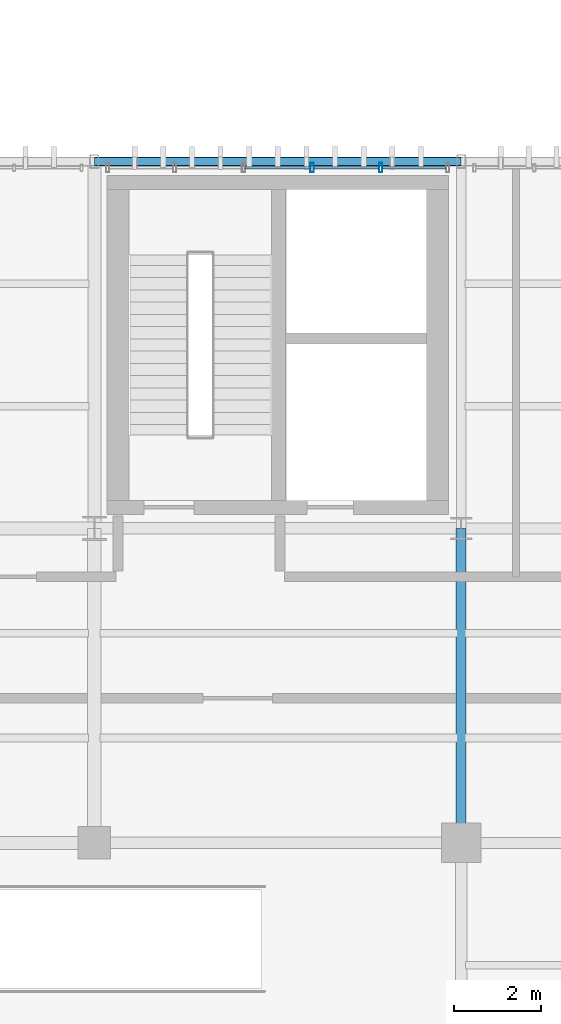
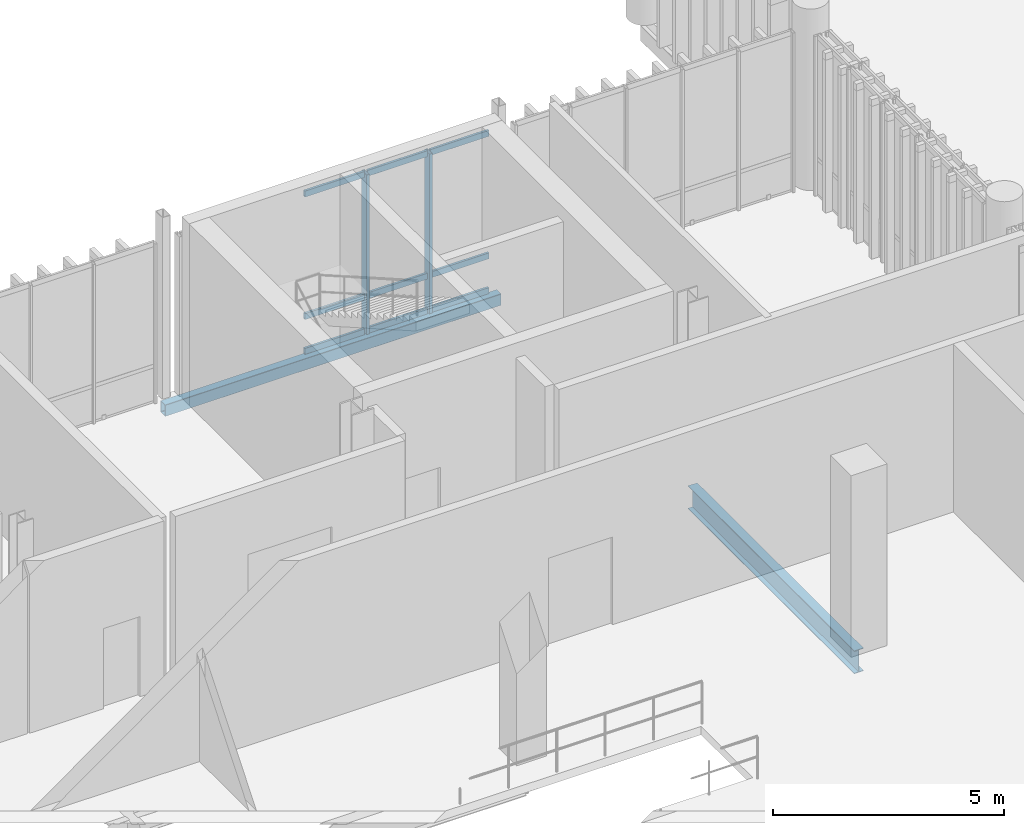
# One storey, part 33 of 109: 11 members, 2 beams, 1 element without a shape of its own.
"""IFC4 building model written with IfcOpenShell, lengths in metres."""

from ifc_helpers import new_model, si_unit, direction, frame, origin_with_axes, origin_2d_with_axis, place, context, subcontext, project, spatial, hollow_rectangle, i_section, extrude, material, material_profile, profile_set, type_object, element, aggregate, save


model = new_model("IFC4")

# Units and contexts
model_context = context("Model", 3, precision=1e-05, world=origin_with_axes(), true_north=direction((0.0, 1.0)))
body_context = subcontext(model_context, "Body", "Model", "MODEL_VIEW")
ifc_project = project(units=[si_unit("LENGTHUNIT", "METRE"), si_unit("AREAUNIT", "SQUARE_METRE"), si_unit("VOLUMEUNIT", "CUBIC_METRE"), si_unit("PLANEANGLEUNIT", "RADIAN"), si_unit("MASSUNIT", "GRAM", prefix="KILO"), si_unit("THERMODYNAMICTEMPERATUREUNIT", "KELVIN")], contexts=[model_context])

# Site, building, storey
site_placement = place(None, origin_with_axes())
site = spatial("IfcSite", under=ifc_project, at=site_placement, CompositionType="ELEMENT")
building_placement = place(site_placement, origin_with_axes())
building = spatial("IfcBuilding", under=site, at=building_placement, Name="Montbau Bow Law Courts", CompositionType="ELEMENT")
storey_placement = place(building_placement, frame((0.0, 0.0, 10.8), z_axis=(0.0, 0.0, 1.0), x_axis=(1.0, 0.0, 0.0)))
storey = spatial("IfcBuildingStorey", under=building, at=storey_placement, Name="L02", CompositionType="ELEMENT", Elevation=10.8)

# Beams
ifc_material_1 = material(Name="Steel CSA G40.21 Grade 350W (350 MPa)", Category="steel")
ifc_material_profile_1 = material_profile(ifc_material_1, i_section(OverallWidth=0.229, OverallDepth=0.612, WebThickness=0.0119, FlangeThickness=0.0196, at=origin_2d_with_axis()), Name="W610X125", Category="Main", Priority=0)
ifc_profile_set_1 = profile_set([ifc_material_profile_1], Name="Steel CSA G40.21 Grade 350W (350 MPa)")
beam_type_1 = type_object("IfcBeamType", Name="B-FLR-05", PredefinedType="BEAM", material=ifc_profile_set_1)
beam_1_placement = place(None, frame((39.0, 39.0, 10.274), z_axis=(0.0, 1.0, 0.0), x_axis=(-1.0, 0.0, 0.0)))
element("IfcBeam", 1, at=beam_1_placement, inside=storey, type_object=beam_type_1, Name="BM-L02-S0577:bm2_0580", PredefinedType="BEAM", context=body_context, shape_type="SweptSolid", body=[
    extrude(i_section(OverallWidth=0.229, OverallDepth=0.612, WebThickness=0.0119, FlangeThickness=0.0196, at=origin_2d_with_axis()), origin_with_axes(), (0.0, 0.0, 1.0), 7.2),
])
ifc_material_2 = material(Name="Steel CSA G40.21 Grade 350WT (350 MPa)", Category="steel")
ifc_material_profile_2 = material_profile(ifc_material_2, hollow_rectangle(XDim=0.203, YDim=0.305, WallThickness=0.0127, InnerFilletRadius=0.0254, OuterFilletRadius=0.0127, at=origin_2d_with_axis()), Name="HSS305X203X13", Category="Main", Priority=0)
ifc_profile_set_2 = profile_set([ifc_material_profile_2], Name="Steel CSA G40.21 Grade 350WT (350 MPa)")
beam_type_2 = type_object("IfcBeamType", Name="B-SPN-02", PredefinedType="SPANDREL", material=ifc_profile_set_2)
beam_2_placement = place(None, frame((30.6, 54.6, 10.428), z_axis=(1.0, 0.0, 0.0), x_axis=(0.0, 1.0, 0.0)))
element("IfcBeam", 2, at=beam_2_placement, inside=storey, type_object=beam_type_2, Name="SPN-L02-S0564:bm2_0567", PredefinedType="SPANDREL", context=body_context, shape_type="SweptSolid", body=[
    extrude(hollow_rectangle(XDim=0.203, YDim=0.305, WallThickness=0.0127, InnerFilletRadius=0.0254, OuterFilletRadius=0.0127, at=origin_2d_with_axis()), origin_with_axes(), (0.0, 0.0, 1.0), 8.4),
])

# Curtain wall, members
ifc_material_3 = material(Name="Thermally Broken Extruded Aluminium AA 6063-T6", Category="aluminium")
curtain_wall_type = type_object("IfcCurtainWallType", Name="CW-TRC-01", PredefinedType="NOTDEFINED", material=ifc_material_3)
curtain_wall_placement = place(None, frame((30.867, 54.46, 10.8), z_axis=(0.0, 0.0, 1.0), x_axis=(1.0, 0.0, 0.0)))
curtain_wall = element("IfcCurtainWall", 3, at=curtain_wall_placement, inside=storey, type_object=curtain_wall_type, Name="CW-L02-042:cw_0042", PredefinedType="NOTDEFINED")
ifc_material_profile_3 = material_profile(ifc_material_3, hollow_rectangle(XDim=0.075, YDim=0.22, WallThickness=0.005, InnerFilletRadius=0.01, OuterFilletRadius=0.005, at=origin_2d_with_axis()), Name="CWM-220X75", Category="Main", Priority=0)
ifc_profile_set_3 = profile_set([ifc_material_profile_3], Name="Thermally Broken Extruded Aluminium AA 6063-T6")
member_type_1 = type_object("IfcMemberType", Name="M-MUL-01", PredefinedType="MULLION", material=ifc_profile_set_3)
member_1_placement = place(None, frame((35.586, 54.46, 10.8), z_axis=(0.0, 0.0, 1.0), x_axis=(1.0, 0.0, 0.0)))
member_1 = element("IfcMember", 4, at=member_1_placement, type_object=member_type_1, Name="CW-L02-042-M04:cw_0042_M04", PredefinedType="MULLION", context=body_context, shape_type="SweptSolid", body=[
    extrude(hollow_rectangle(XDim=0.075, YDim=0.22, WallThickness=0.005, InnerFilletRadius=0.01, OuterFilletRadius=0.005, at=origin_2d_with_axis()), origin_with_axes(), (0.0, 0.0, 1.0), 4.22),
])
member_2_placement = place(None, frame((37.159, 54.46, 10.8), z_axis=(0.0, 0.0, 1.0), x_axis=(1.0, 0.0, 0.0)))
member_2 = element("IfcMember", 5, at=member_2_placement, type_object=member_type_1, Name="CW-L02-042-M05:cw_0042_M05", PredefinedType="MULLION", context=body_context, shape_type="SweptSolid", body=[
    extrude(hollow_rectangle(XDim=0.075, YDim=0.22, WallThickness=0.005, InnerFilletRadius=0.01, OuterFilletRadius=0.005, at=origin_2d_with_axis()), origin_with_axes(), (0.0, 0.0, 1.0), 4.22),
])
ifc_material_profile_4 = material_profile(ifc_material_3, hollow_rectangle(XDim=0.06, YDim=0.16, WallThickness=0.004, InnerFilletRadius=0.008, OuterFilletRadius=0.004, at=origin_2d_with_axis()), Name="CWT-160X60", Category="Main", Priority=0)
ifc_profile_set_4 = profile_set([ifc_material_profile_4], Name="Thermally Broken Extruded Aluminium AA 6063-T6")
member_type_2 = type_object("IfcMemberType", Name="M-TRN-01", PredefinedType="USERDEFINED", material=ifc_profile_set_4)
member_3_placement = place(None, frame((34.052, 54.46, 10.83), z_axis=(1.0, 0.0, 0.0), x_axis=(0.0, 1.0, 0.0)))
member_3 = element("IfcMember", 6, at=member_3_placement, type_object=member_type_2, Name="CW-L02-042-T03-1:cw_0042_T03_1", ObjectType="TRANSOM", PredefinedType="USERDEFINED", context=body_context, shape_type="SweptSolid", body=[
    extrude(hollow_rectangle(XDim=0.06, YDim=0.16, WallThickness=0.004, InnerFilletRadius=0.008, OuterFilletRadius=0.004, at=origin_2d_with_axis()), origin_with_axes(), (0.0, 0.0, 1.0), 1.495),
])
member_4_placement = place(None, frame((34.052, 54.46, 11.75), z_axis=(1.0, 0.0, 0.0), x_axis=(0.0, 1.0, 0.0)))
member_4 = element("IfcMember", 7, at=member_4_placement, type_object=member_type_2, Name="CW-L02-042-T03-2:cw_0042_T03_2", ObjectType="TRANSOM", PredefinedType="USERDEFINED", context=body_context, shape_type="SweptSolid", body=[
    extrude(hollow_rectangle(XDim=0.06, YDim=0.16, WallThickness=0.004, InnerFilletRadius=0.008, OuterFilletRadius=0.004, at=origin_2d_with_axis()), origin_with_axes(), (0.0, 0.0, 1.0), 1.495),
])
member_5_placement = place(None, frame((34.052, 54.46, 14.99), z_axis=(1.0, 0.0, 0.0), x_axis=(0.0, 1.0, 0.0)))
member_5 = element("IfcMember", 8, at=member_5_placement, type_object=member_type_2, Name="CW-L02-042-T03-3:cw_0042_T03_3", ObjectType="TRANSOM", PredefinedType="USERDEFINED", context=body_context, shape_type="SweptSolid", body=[
    extrude(hollow_rectangle(XDim=0.06, YDim=0.16, WallThickness=0.004, InnerFilletRadius=0.008, OuterFilletRadius=0.004, at=origin_2d_with_axis()), origin_with_axes(), (0.0, 0.0, 1.0), 1.495),
])
member_6_placement = place(None, frame((35.625, 54.46, 10.83), z_axis=(1.0, 0.0, 0.0), x_axis=(0.0, 1.0, 0.0)))
member_6 = element("IfcMember", 9, at=member_6_placement, type_object=member_type_2, Name="CW-L02-042-T04-1:cw_0042_T04_1", ObjectType="TRANSOM", PredefinedType="USERDEFINED", context=body_context, shape_type="SweptSolid", body=[
    extrude(hollow_rectangle(XDim=0.06, YDim=0.16, WallThickness=0.004, InnerFilletRadius=0.008, OuterFilletRadius=0.004, at=origin_2d_with_axis()), origin_with_axes(), (0.0, 0.0, 1.0), 1.495),
])
member_7_placement = place(None, frame((35.625, 54.46, 11.75), z_axis=(1.0, 0.0, 0.0), x_axis=(0.0, 1.0, 0.0)))
member_7 = element("IfcMember", 10, at=member_7_placement, type_object=member_type_2, Name="CW-L02-042-T04-2:cw_0042_T04_2", ObjectType="TRANSOM", PredefinedType="USERDEFINED", context=body_context, shape_type="SweptSolid", body=[
    extrude(hollow_rectangle(XDim=0.06, YDim=0.16, WallThickness=0.004, InnerFilletRadius=0.008, OuterFilletRadius=0.004, at=origin_2d_with_axis()), origin_with_axes(), (0.0, 0.0, 1.0), 1.495),
])
member_8_placement = place(None, frame((35.625, 54.46, 14.99), z_axis=(1.0, 0.0, 0.0), x_axis=(0.0, 1.0, 0.0)))
member_8 = element("IfcMember", 11, at=member_8_placement, type_object=member_type_2, Name="CW-L02-042-T04-3:cw_0042_T04_3", ObjectType="TRANSOM", PredefinedType="USERDEFINED", context=body_context, shape_type="SweptSolid", body=[
    extrude(hollow_rectangle(XDim=0.06, YDim=0.16, WallThickness=0.004, InnerFilletRadius=0.008, OuterFilletRadius=0.004, at=origin_2d_with_axis()), origin_with_axes(), (0.0, 0.0, 1.0), 1.495),
])
member_9_placement = place(None, frame((37.198, 54.46, 10.83), z_axis=(1.0, 0.0, 0.0), x_axis=(0.0, 1.0, 0.0)))
member_9 = element("IfcMember", 12, at=member_9_placement, type_object=member_type_2, Name="CW-L02-042-T05-1:cw_0042_T05_1", ObjectType="TRANSOM", PredefinedType="USERDEFINED", context=body_context, shape_type="SweptSolid", body=[
    extrude(hollow_rectangle(XDim=0.06, YDim=0.16, WallThickness=0.004, InnerFilletRadius=0.008, OuterFilletRadius=0.004, at=origin_2d_with_axis()), origin_with_axes(), (0.0, 0.0, 1.0), 1.457),
])
member_10_placement = place(None, frame((37.198, 54.46, 11.75), z_axis=(1.0, 0.0, 0.0), x_axis=(0.0, 1.0, 0.0)))
member_10 = element("IfcMember", 13, at=member_10_placement, type_object=member_type_2, Name="CW-L02-042-T05-2:cw_0042_T05_2", ObjectType="TRANSOM", PredefinedType="USERDEFINED", context=body_context, shape_type="SweptSolid", body=[
    extrude(hollow_rectangle(XDim=0.06, YDim=0.16, WallThickness=0.004, InnerFilletRadius=0.008, OuterFilletRadius=0.004, at=origin_2d_with_axis()), origin_with_axes(), (0.0, 0.0, 1.0), 1.457),
])
member_11_placement = place(None, frame((37.198, 54.46, 14.99), z_axis=(1.0, 0.0, 0.0), x_axis=(0.0, 1.0, 0.0)))
member_11 = element("IfcMember", 14, at=member_11_placement, type_object=member_type_2, Name="CW-L02-042-T05-3:cw_0042_T05_3", ObjectType="TRANSOM", PredefinedType="USERDEFINED", context=body_context, shape_type="SweptSolid", body=[
    extrude(hollow_rectangle(XDim=0.06, YDim=0.16, WallThickness=0.004, InnerFilletRadius=0.008, OuterFilletRadius=0.004, at=origin_2d_with_axis()), origin_with_axes(), (0.0, 0.0, 1.0), 1.457),
])
aggregate(curtain_wall, [member_1, member_2, member_3, member_4, member_5, member_6, member_7, member_8, member_9, member_10, member_11])

save(model, "model.ifc")
